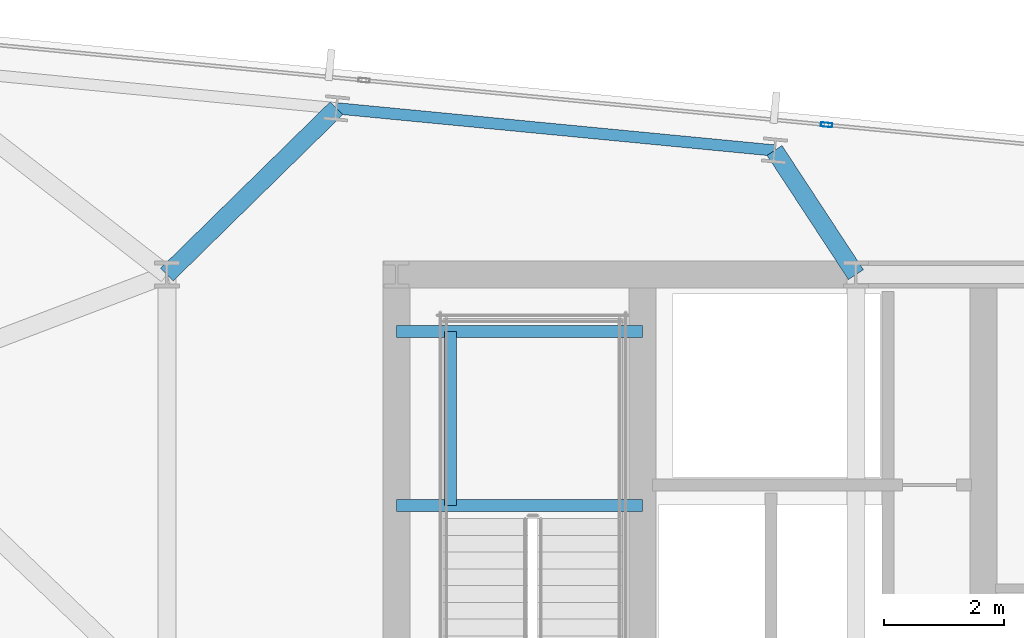
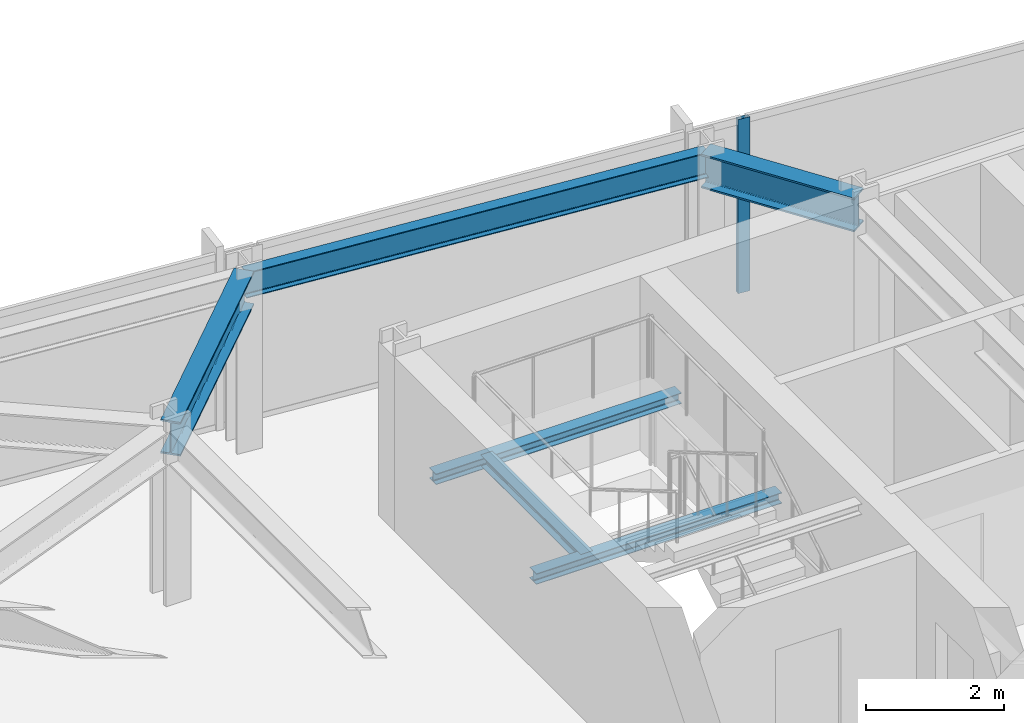
# One storey, part 24 of 37: 6 beams, 1 member, 1 element without a shape of its own.
"""IFC4 building model written with IfcOpenShell, lengths in metres."""

import ifcopenshell
import ifcopenshell.guid

model = None  # the IFC model being written
_history = None  # IfcOwnerHistory: only IFC2X3 demands one
_inside = {}  # id of a spatial element -> (the spatial element, [elements in it])
_under = {}  # id of a project, library or spatial element -> (it, [spatial elements below it])
_declared = {}  # id of a project -> (the project, [libraries it declares])
_typed = {}  # id of a type object -> (the type object, [elements of that type])
_made_of = {}  # id of a material, layer set ... -> (it, [elements and type objects made of it])


def new_model(schema):
    """Start an empty IFC model of exactly this schema.

    Asked for "IFC4X3", IfcOpenShell would pick the latest addendum, in which some entities
    have other attributes; the version numbers below select the first issue.
    IFC2X3 requires an IfcOwnerHistory on every rooted entity: one is made here for all.
    """
    global model, _history
    if schema == "IFC4X3":
        model = ifcopenshell.file(schema_version=(4, 3, 0, 0))
    else:
        model = ifcopenshell.file(schema=schema)
    _inside.clear()
    _under.clear()
    _declared.clear()
    _typed.clear()
    _made_of.clear()
    _history = None
    if model.schema == "IFC2X3":
        org = make("IfcOrganization", Name="unknown")
        user = make(
            "IfcPersonAndOrganization",
            ThePerson=make("IfcPerson", FamilyName="unknown"),
            TheOrganization=org,
        )
        app = make(
            "IfcApplication",
            ApplicationDeveloper=org,
            Version="unknown",
            ApplicationFullName="unknown",
            ApplicationIdentifier="unknown",
        )
        _history = make(
            "IfcOwnerHistory",
            OwningUser=user,
            OwningApplication=app,
            ChangeAction="ADDED",
            CreationDate=0,
        )
    return model


def make(cls, **values):
    """One entity of the class cls with the attributes given. An attribute that is None is left unset."""
    return model.create_entity(
        cls, **{name: value for name, value in values.items() if value is not None}
    )


def rooted(cls, **values):
    """An entity with a GlobalId (a new one), such as an element, a storey or a relation."""
    return make(cls, GlobalId=ifcopenshell.guid.new(), OwnerHistory=_history, **values)


def si_unit(unit_type, name, prefix=None):
    """IfcSIUnit, for example si_unit("LENGTHUNIT", "METRE", prefix="MILLI")."""
    return make("IfcSIUnit", UnitType=unit_type, Prefix=prefix, Name=name)


def assignment(units):
    """IfcUnitAssignment: the units of a project."""
    return None if units is None else make("IfcUnitAssignment", Units=units)


def point(xyz):
    """IfcCartesianPoint."""
    return None if xyz is None else make("IfcCartesianPoint", Coordinates=xyz)


def direction(xyz):
    """IfcDirection."""
    return None if xyz is None else make("IfcDirection", DirectionRatios=xyz)


def frame(location, z_axis=None, x_axis=None):
    """IfcAxis2Placement3D, a coordinate frame: its origin and axes. An axis left out is left unset."""
    return make(
        "IfcAxis2Placement3D",
        Location=point(location),
        Axis=direction(z_axis),
        RefDirection=direction(x_axis),
    )


def frame_2d(location, x_axis=None):
    """IfcAxis2Placement2D, a coordinate frame in the plane: its origin and x axis."""
    return make(
        "IfcAxis2Placement2D", Location=point(location), RefDirection=direction(x_axis)
    )


def origin():
    """The frame at (0, 0, 0) with its axes left unset."""
    return frame((0.0, 0.0, 0.0))


def origin_2d():
    """The frame at (0, 0) in the plane with its x axis left unset."""
    return frame_2d((0.0, 0.0))


def place(relative_to, where):
    """IfcLocalPlacement: puts the frame where relative to a parent placement (None: the world)."""
    return make(
        "IfcLocalPlacement", PlacementRelTo=relative_to, RelativePlacement=where
    )


def context(
    kind, dimensions, precision=None, world=None, true_north=None, identifier=None
):
    """IfcGeometricRepresentationContext, for example the 3D "Model" context."""
    return make(
        "IfcGeometricRepresentationContext",
        ContextIdentifier=identifier,
        ContextType=kind,
        CoordinateSpaceDimension=dimensions,
        Precision=precision,
        WorldCoordinateSystem=world,
        TrueNorth=true_north,
    )


def subcontext(parent, identifier, kind, view, scale=None):
    """IfcGeometricRepresentationSubContext, for example "Body" below "Model"."""
    return make(
        "IfcGeometricRepresentationSubContext",
        ContextIdentifier=identifier,
        ContextType=kind,
        ParentContext=parent,
        TargetScale=scale,
        TargetView=view,
    )


def project(units=None, contexts=None):
    """IfcProject with its units and contexts."""
    return rooted(
        "IfcProject",
        Name="project",
        RepresentationContexts=contexts,
        UnitsInContext=assignment(units),
    )


def spatial(cls, under=None, at=None, **own):
    """A site, building, storey or space (cls), placed at a placement, below another one or the project."""
    s = rooted(cls, ObjectPlacement=at, **own)
    if under is not None:
        _under.setdefault(under.id(), (under, []))[1].append(s)
    return s


def profile(cls, at=None, kind="AREA", **sizes):
    """A parametric profile (cls). Its sizes go by their IFC names, for example OverallWidth=200.0."""
    return make(cls, ProfileType=kind, Position=at, **sizes)


def hollow_rectangle(**sizes):
    """IfcRectangleHollowProfileDef."""
    return profile("IfcRectangleHollowProfileDef", **sizes)


def i_section(**sizes):
    """IfcIShapeProfileDef."""
    return profile("IfcIShapeProfileDef", **sizes)


def extrude(swept, where, along, depth):
    """IfcExtrudedAreaSolid: the profile swept, set in the frame where, extruded along a direction by depth."""
    return make(
        "IfcExtrudedAreaSolid",
        SweptArea=swept,
        Position=where,
        ExtrudedDirection=direction(along),
        Depth=depth,
    )


def shape(context_of_items, identifier, shape_type, items):
    """IfcShapeRepresentation: the items that make up one representation, for example the "Body"."""
    return make(
        "IfcShapeRepresentation",
        ContextOfItems=context_of_items,
        RepresentationIdentifier=identifier,
        RepresentationType=shape_type,
        Items=items,
    )


def material(Name=None, Category=None):
    """IfcMaterial."""
    return make("IfcMaterial", Name=Name, Category=Category)


def material_profile(
    of_material, cross_section, Name=None, Category=None, Priority=None
):
    """IfcMaterialProfile: a cross section and its material."""
    return make(
        "IfcMaterialProfile",
        Name=Name,
        Material=of_material,
        Profile=cross_section,
        Priority=Priority,
        Category=Category,
    )


def profile_set(profiles, Name=None, composite=None):
    """IfcMaterialProfileSet."""
    return make(
        "IfcMaterialProfileSet",
        Name=Name,
        MaterialProfiles=profiles,
        CompositeProfile=composite,
    )


def made_of(thing, what):
    """Note that an element or type object is made of a material, layer set ...; save() writes the relation."""
    if what is not None:
        _made_of.setdefault(what.id(), (what, []))[1].append(thing)
    return thing


def type_object(cls, material=None, **own):
    """A type object (cls), such as IfcWallType, which elements share."""
    return made_of(rooted(cls, **own), material)


def element(
    cls,
    number,
    at=None,
    inside=None,
    cuts=None,
    type_object=None,
    material=None,
    context=None,
    identifier="Body",
    shape_type=None,
    held_by="IfcProductDefinitionShape",
    body=None,
    shapes=None,
    **own,
):
    """One element of the class cls, such as IfcWall. Its Tag is "e" and its number.

    at: its placement. inside: the storey or other place that contains it. cuts: it is an
    opening in that element (IfcRelVoidsElement). A single representation is given by context,
    identifier, shape_type and body (its items); several are given by shapes. held_by: the class
    of the entity that holds the representations. save() writes the other relations.
    """
    e = rooted(cls, Tag="e%d" % number, ObjectPlacement=at, **own)
    if body is not None:
        shapes = [shape(context, identifier, shape_type, body)]
    if shapes is not None:
        e.Representation = make(held_by, Representations=shapes)
    if inside is not None:
        _inside.setdefault(inside.id(), (inside, []))[1].append(e)
    if cuts is not None:
        rooted(
            "IfcRelVoidsElement", RelatingBuildingElement=cuts, RelatedOpeningElement=e
        )
    if type_object is not None:
        _typed.setdefault(type_object.id(), (type_object, []))[1].append(e)
    return made_of(e, material)


def aggregate(whole, parts):
    """IfcRelAggregates: a whole, such as a stair, and the parts it consists of."""
    return rooted("IfcRelAggregates", RelatingObject=whole, RelatedObjects=parts)


def save(model, path):
    """Write the relations noted so far, then the file.

    IfcRelAggregates (storeys below a building ...), IfcRelContainedInSpatialStructure (elements
    in a storey), IfcRelDefinesByType, IfcRelAssociatesMaterial and IfcRelDeclares: one each for
    every whole, place, type object, material and project.
    """
    for whole, parts in _under.values():
        aggregate(whole, parts)
    for where, things in _inside.values():
        rooted(
            "IfcRelContainedInSpatialStructure",
            RelatedElements=things,
            RelatingStructure=where,
        )
    for kind, things in _typed.values():
        rooted("IfcRelDefinesByType", RelatedObjects=things, RelatingType=kind)
    for what, things in _made_of.values():
        rooted("IfcRelAssociatesMaterial", RelatedObjects=things, RelatingMaterial=what)
    for by, libraries in _declared.values():
        rooted("IfcRelDeclares", RelatingContext=by, RelatedDefinitions=libraries)
    model.write(path)


model = new_model("IFC4")

# Units and contexts
model_context = context("Model", 3, precision=1e-05, world=origin(), true_north=direction((0.0, 1.0)))
body_context = subcontext(model_context, "Body", "Model", "MODEL_VIEW")
ifc_project = project(units=[si_unit("LENGTHUNIT", "METRE"), si_unit("AREAUNIT", "SQUARE_METRE"), si_unit("VOLUMEUNIT", "CUBIC_METRE"), si_unit("PLANEANGLEUNIT", "RADIAN"), si_unit("MASSUNIT", "GRAM", prefix="KILO")], contexts=[model_context])

# Site, building, storey
site_placement = place(None, origin())
site = spatial("IfcSite", under=ifc_project, at=site_placement, CompositionType="ELEMENT")
building_placement = place(site_placement, origin())
building = spatial("IfcBuilding", under=site, at=building_placement, Name="Yelkora Congress Tower", CompositionType="ELEMENT")
storey_placement = place(building_placement, frame((0.0, 0.0, 149.0)))
storey = spatial("IfcBuildingStorey", under=building, at=storey_placement, Name="L40", CompositionType="ELEMENT", Elevation=149.0)

# Beams
ifc_material_1 = material(Name="Steel S355J2", Category="steel")
ifc_material_profile_1 = material_profile(ifc_material_1, i_section(OverallWidth=0.300048828125, OverallDepth=0.60009765625, WebThickness=0.015380859375, FlangeThickness=0.030029296875, FilletRadius=0.027099609375, at=origin_2d()), Name="HEB 600")
ifc_profile_set_1 = profile_set([ifc_material_profile_1], Name="Steel S355J2")
beam_type_1 = type_object("IfcBeamType", Name="BM-GIRD-HEB600", PredefinedType="BEAM", material=ifc_profile_set_1)
beam_1_placement = place(storey_placement, frame((22.035400390625, 48.980224609375, 2.780029296875), z_axis=(-0.714019806588, -0.700125500036, 0.0), x_axis=(0.700125500036, -0.714019806588, 0.0)))
element("IfcBeam", 1, at=beam_1_placement, inside=storey, type_object=beam_type_1, Name="L40 Primary Frame Girder N03", PredefinedType="BEAM", context=body_context, shape_type="SweptSolid", body=[
    extrude(i_section(OverallWidth=0.300048828125, OverallDepth=0.60009765625, WebThickness=0.015380859375, FlangeThickness=0.030029296875, FilletRadius=0.027099609375, at=origin_2d()), origin(), (0.0, 0.0, 1.0), 3.97119140625),
])
beam_2_placement = place(storey_placement, frame((29.358642578125, 48.275146484375, 2.780029296875), z_axis=(0.548510321976, -0.8361437835, 0.0), x_axis=(0.8361437835, 0.548510321976, 0.0)))
element("IfcBeam", 2, at=beam_2_placement, inside=storey, type_object=beam_type_1, Name="L40 Primary Frame Girder N04", PredefinedType="BEAM", context=body_context, shape_type="SweptSolid", body=[
    extrude(i_section(OverallWidth=0.300048828125, OverallDepth=0.60009765625, WebThickness=0.015380859375, FlangeThickness=0.030029296875, FilletRadius=0.027099609375, at=origin_2d()), origin(), (0.0, 0.0, 1.0), 2.48193359375),
])
ifc_material_profile_2 = material_profile(ifc_material_1, i_section(OverallWidth=0.199951171875, OverallDepth=0.18994140625, WebThickness=0.006591796875, FlangeThickness=0.010009765625, FilletRadius=0.01806640625, at=origin_2d()), Name="HEA 200")
ifc_profile_set_2 = profile_set([ifc_material_profile_2], Name="Steel S355J2")
beam_type_2 = type_object("IfcBeamType", Name="BM-LAND-HEA200", PredefinedType="BEAM", material=ifc_profile_set_2)
for number, where, z_axis, x_axis, name in (
    (3, (23.0400390625, 42.340087890625, 1.334716796875), (1.0, 0.0, 0.0), (0.0, 1.0, 0.0), "ST-01 L40 Landing Header Beam 1S"),
    (4, (23.0400390625, 45.25, 1.334716796875), (1.0, 0.0, 0.0), (0.0, 1.0, 0.0), "ST-01 L40 Landing Header Beam 1N"),
):
    element("IfcBeam", number, at=place(storey_placement, frame(where, z_axis=z_axis, x_axis=x_axis)), inside=storey, type_object=beam_type_2, Name=name, PredefinedType="BEAM", context=body_context, shape_type="SweptSolid", body=[
        extrude(i_section(OverallWidth=0.199951171875, OverallDepth=0.18994140625, WebThickness=0.006591796875, FlangeThickness=0.010009765625, FilletRadius=0.01806640625, at=origin_2d()), origin(), (0.0, 0.0, 1.0), 4.10986328125),
    ])
beam_3_placement = place(storey_placement, frame((23.93994140625, 42.340087890625, 1.334716796875), z_axis=(0.0, 1.0, 0.0), x_axis=(-1.0, 0.0, 0.0)))
element("IfcBeam", 5, at=beam_3_placement, inside=storey, type_object=beam_type_2, Name="ST-01 L40 Landing Trimmer Beam 1M", PredefinedType="BEAM", context=body_context, shape_type="SweptSolid", body=[
    extrude(i_section(OverallWidth=0.199951171875, OverallDepth=0.18994140625, WebThickness=0.006591796875, FlangeThickness=0.010009765625, FilletRadius=0.01806640625, at=origin_2d()), origin(), (0.0, 0.0, 1.0), 2.909912109375),
])
ifc_material_profile_3 = material_profile(ifc_material_1, i_section(OverallWidth=0.18994140625, OverallDepth=0.449951171875, WebThickness=0.009521484375, FlangeThickness=0.0146484375, FilletRadius=0.02099609375, at=origin_2d()), Name="IPE 450")
ifc_profile_set_3 = profile_set([ifc_material_profile_3], Name="Steel S355J2")
beam_type_3 = type_object("IfcBeamType", Name="BM-SPAN-IPE450", PredefinedType="SPANDREL", material=ifc_profile_set_3)
beam_4_placement = place(storey_placement, frame((29.358642578125, 48.275146484375, 2.85498046875), z_axis=(-0.995397104697, 0.095836339457, 0.0), x_axis=(-0.095836339457, -0.995397104697, 0.0)))
element("IfcBeam", 6, at=beam_4_placement, inside=storey, type_object=beam_type_3, Name="L40 Perimeter Beam 13", PredefinedType="SPANDREL", context=body_context, shape_type="SweptSolid", body=[
    extrude(i_section(OverallWidth=0.18994140625, OverallDepth=0.449951171875, WebThickness=0.009521484375, FlangeThickness=0.0146484375, FilletRadius=0.02099609375, at=origin_2d()), origin(), (0.0, 0.0, 1.0), 7.357177734375),
])

# Curtain wall, member
ifc_material_2 = material(Name="Anodised aluminium and insulated glass", Category="aluminium")
curtain_wall_type = type_object("IfcCurtainWallType", Name="CW-SYS-B3", PredefinedType="NOTDEFINED", material=ifc_material_2)
curtain_wall_placement = place(storey_placement, origin())
curtain_wall = element("IfcCurtainWall", 7, at=curtain_wall_placement, inside=storey, type_object=curtain_wall_type, Name="L40 Unitised Curtain Wall 10 (1)", PredefinedType="NOTDEFINED")
ifc_material_3 = material(Name="Anodised aluminium 6063-T6", Category="aluminium")
ifc_material_profile_4 = material_profile(ifc_material_3, hollow_rectangle(XDim=0.070068359375, YDim=0.18994140625, WallThickness=0.00390625, at=origin_2d()), Name="ALU 70x190x4")
ifc_profile_set_4 = profile_set([ifc_material_profile_4], Name="Anodised aluminium 6063-T6")
member_type = type_object("IfcMemberType", Name="MEM-ML-B3", PredefinedType="MULLION", material=ifc_profile_set_4)
member_placement = place(storey_placement, frame((30.228759765625, 48.703857421875, 0.0), z_axis=(0.0, 0.0, 1.0), x_axis=(0.095844524462, 0.995396316615, 0.0)))
member = element("IfcMember", 8, at=member_placement, type_object=member_type, Name="CW-B3 mullion 4", PredefinedType="MULLION", context=body_context, shape_type="SweptSolid", body=[
    extrude(hollow_rectangle(XDim=0.070068359375, YDim=0.18994140625, WallThickness=0.00390625, at=origin_2d()), origin(), (0.0, 0.0, 1.0), 3.080078125),
])
aggregate(curtain_wall, [member])

save(model, "model.ifc")
